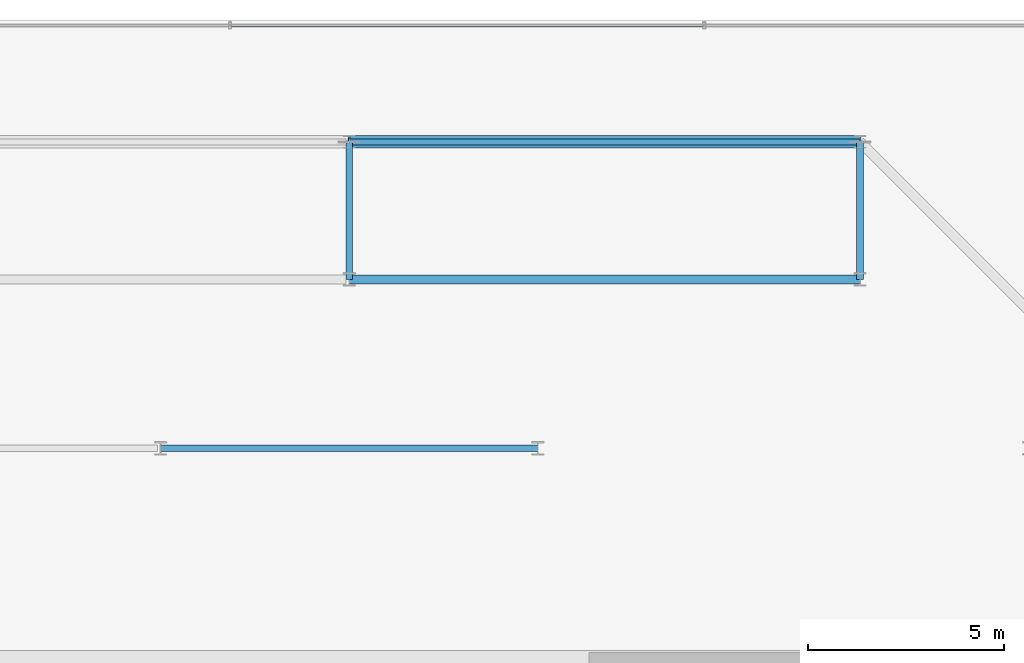
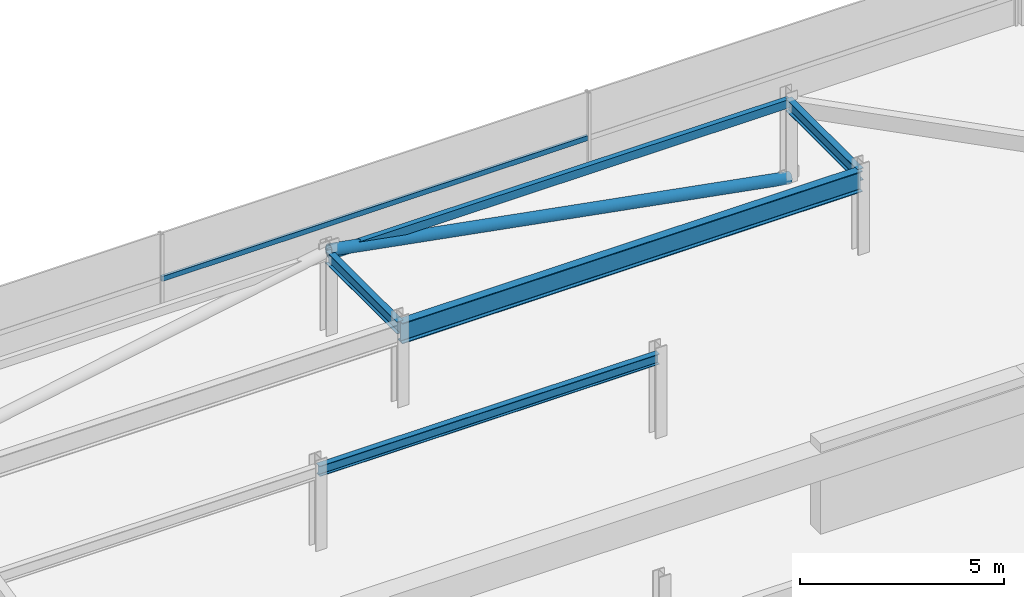
# One storey, part 34 of 42: 5 beams, 2 members, 1 element without a shape of its own.
"""IFC4 building model written with IfcOpenShell, lengths in metres."""

from ifc_helpers import new_model, si_unit, direction, frame, origin, origin_2d, place, context, subcontext, project, spatial, hollow_rectangle, hollow_circle, i_section, extrude, material, material_profile, profile_set, type_object, element, aggregate, save


model = new_model("IFC4")

# Units and contexts
model_context = context("Model", 3, precision=1e-05, world=origin(), true_north=direction((0.0, 1.0)))
body_context = subcontext(model_context, "Body", "Model", "MODEL_VIEW")
ifc_project = project(units=[si_unit("LENGTHUNIT", "METRE"), si_unit("AREAUNIT", "SQUARE_METRE"), si_unit("VOLUMEUNIT", "CUBIC_METRE"), si_unit("PLANEANGLEUNIT", "RADIAN"), si_unit("MASSUNIT", "GRAM", prefix="KILO")], contexts=[model_context])

# Site, building, storey
site_placement = place(None, origin())
site = spatial("IfcSite", under=ifc_project, at=site_placement, CompositionType="ELEMENT")
building_placement = place(site_placement, origin())
building = spatial("IfcBuilding", under=site, at=building_placement, Name="Thornwick Lancets Civic Towers", CompositionType="ELEMENT")
storey_placement = place(building_placement, frame((0.0, 0.0, 284.10009765625)))
storey = spatial("IfcBuildingStorey", under=building, at=storey_placement, Name="C02", CompositionType="ELEMENT", Elevation=284.10009765625)

# Beams
ifc_material_1 = material(Name="Steel S355JR", Category="steel")
ifc_material_profile_1 = material_profile(ifc_material_1, hollow_rectangle(XDim=0.14990234375, YDim=0.25, WallThickness=0.012451171875, at=origin_2d()), Name="RHS 250x150x12.5")
ifc_profile_set_1 = profile_set([ifc_material_profile_1], Name="Steel S355JR")
beam_type_1 = type_object("IfcBeamType", Name="BM_CROWN_RHS250", PredefinedType="BEAM", material=ifc_profile_set_1)
beam_1_placement = place(storey_placement, frame((101.5, 47.800048828125, 2.31494140625), z_axis=(-1.0, 0.0, 0.0), x_axis=(0.0, -1.0, 0.0)))
element("IfcBeam", 1, at=beam_1_placement, inside=storey, type_object=beam_type_1, Name="BM-EDGE-C02-B-S1-1", PredefinedType="BEAM", context=body_context, shape_type="SweptSolid", body=[
    extrude(hollow_rectangle(XDim=0.14990234375, YDim=0.25, WallThickness=0.012451171875, at=origin_2d()), origin(), (0.0, 0.0, 1.0), 13.0),
])
ifc_material_profile_2 = material_profile(ifc_material_1, i_section(OverallWidth=0.230224609375, OverallDepth=0.6171875, WebThickness=0.01318359375, FlangeThickness=0.022216796875, FilletRadius=0.0126953125, at=origin_2d()), Name="UKB 610x229x140")
ifc_profile_set_2 = profile_set([ifc_material_profile_2], Name="Steel S355JR")
beam_type_2 = type_object("IfcBeamType", Name="BM_GIRD_610_140", PredefinedType="BEAM", material=ifc_profile_set_2)
beam_2_placement = place(storey_placement, frame((101.5, 44.300048828125, 2.13134765625), z_axis=(-1.0, 0.0, 0.0), x_axis=(0.0, -1.0, 0.0)))
element("IfcBeam", 2, at=beam_2_placement, inside=storey, type_object=beam_type_2, Name="BM-SPINE-C02-B-3-4", PredefinedType="BEAM", context=body_context, shape_type="SweptSolid", body=[
    extrude(i_section(OverallWidth=0.230224609375, OverallDepth=0.6171875, WebThickness=0.01318359375, FlangeThickness=0.022216796875, FilletRadius=0.0126953125, at=origin_2d()), origin(), (0.0, 0.0, 1.0), 13.0),
])
ifc_material_profile_3 = material_profile(ifc_material_1, i_section(OverallWidth=0.173095703125, OverallDepth=0.36328125, WebThickness=0.009033203125, FlangeThickness=0.015625, FilletRadius=0.01025390625, at=origin_2d()), Name="UKB 356x171x67")
ifc_profile_set_3 = profile_set([ifc_material_profile_3], Name="Steel S355JR")
beam_type_3 = type_object("IfcBeamType", Name="BM_JOIST_356_67", PredefinedType="JOIST", material=ifc_profile_set_3)
for number, where, z_axis, x_axis, name in (
    (3, (101.5, 44.300048828125, 2.25830078125), (0.0, 1.0, 0.0), (-1.0, 0.0, 0.0), "BM-RAD-C02-B04"),
    (4, (88.5, 44.300048828125, 2.25830078125), (0.0, 1.0, 0.0), (-1.0, 0.0, 0.0), "BM-RAD-C02-B05"),
):
    element("IfcBeam", number, at=place(storey_placement, frame(where, z_axis=z_axis, x_axis=x_axis)), inside=storey, type_object=beam_type_3, Name=name, PredefinedType="JOIST", context=body_context, shape_type="SweptSolid", body=[
        extrude(i_section(OverallWidth=0.173095703125, OverallDepth=0.36328125, WebThickness=0.009033203125, FlangeThickness=0.015625, FilletRadius=0.01025390625, at=origin_2d()), origin(), (0.0, 0.0, 1.0), 3.5),
    ])
ifc_material_profile_4 = material_profile(ifc_material_1, i_section(OverallWidth=0.1669921875, OverallDepth=0.310302734375, WebThickness=0.0078125, FlangeThickness=0.013671875, FilletRadius=0.0087890625, at=origin_2d()), Name="UKB 305x165x54")
ifc_profile_set_4 = profile_set([ifc_material_profile_4], Name="Steel S355JR")
beam_type_4 = type_object("IfcBeamType", Name="BM_LINTEL_305_54", PredefinedType="LINTEL", material=ifc_profile_set_4)
beam_3_placement = place(storey_placement, frame((93.300048828125, 40.0, 2.28466796875), z_axis=(-1.0, 0.0, 0.0), x_axis=(0.0, -1.0, 0.0)))
element("IfcBeam", 5, at=beam_3_placement, inside=storey, type_object=beam_type_4, Name="BM-INSP-C02-B-1-3", PredefinedType="LINTEL", context=body_context, shape_type="SweptSolid", body=[
    extrude(i_section(OverallWidth=0.1669921875, OverallDepth=0.310302734375, WebThickness=0.0078125, FlangeThickness=0.013671875, FilletRadius=0.0087890625, at=origin_2d()), origin(), (0.0, 0.0, 1.0), 9.60009765625),
])

# Curtain wall, member
ifc_material_2 = material(Name="Crown ring acoustic-louvre and glazing screen wall", Category="glass")
curtain_wall_type = type_object("IfcCurtainWallType", Name="CW_SYS_07", PredefinedType="NOTDEFINED", material=ifc_material_2)
curtain_wall_placement = place(storey_placement, origin())
curtain_wall = element("IfcCurtainWall", 6, at=curtain_wall_placement, inside=storey, type_object=curtain_wall_type, Name="C02 Curtain Wall CW-C02-B-E4", PredefinedType="NOTDEFINED")
ifc_material_3 = material(Name="Thermally broken bronze aluminium S355", Category="steel")
ifc_material_profile_5 = material_profile(ifc_material_3, hollow_rectangle(XDim=0.074951171875, YDim=0.14990234375, WallThickness=0.0048828125, at=origin_2d()), Name="RHS 150x75x5")
ifc_profile_set_5 = profile_set([ifc_material_profile_5], Name="Thermally broken bronze aluminium S355")
member_type_1 = type_object("IfcMemberType", Name="CW_TRN_150", PredefinedType="USERDEFINED", material=ifc_profile_set_5)
member_1_placement = place(storey_placement, frame((97.513916015625, 50.7646484375, 0.849853515625), z_axis=(-1.0, 0.0, 0.0), x_axis=(0.0, -1.0, 0.0)))
member_1 = element("IfcMember", 7, at=member_1_placement, type_object=member_type_1, Name="CW-C02-B-E4 Transom 1", ObjectType="TRANSOM", PredefinedType="USERDEFINED", context=body_context, shape_type="SweptSolid", body=[
    extrude(hollow_rectangle(XDim=0.074951171875, YDim=0.14990234375, WallThickness=0.0048828125, at=origin_2d()), origin(), (0.0, 0.0, 1.0), 12.02783203125),
])
aggregate(curtain_wall, [member_1])

# Member
ifc_material_profile_6 = material_profile(ifc_material_1, hollow_circle(Radius=0.161865234375, WallThickness=0.01611328125, at=origin_2d()), Name="CHS 323.9x16")
ifc_profile_set_6 = profile_set([ifc_material_profile_6], Name="Steel S355JR")
member_type_2 = type_object("IfcMemberType", Name="MEM_CROWN_CHS324", PredefinedType="BRACE", material=ifc_profile_set_6)
member_2_placement = place(storey_placement, frame((101.5, 47.800048828125, 0.0498046875), z_axis=(-0.983515136313, 0.0, 0.180825818519), x_axis=(0.0, -1.0, 0.0)))
element("IfcMember", 8, at=member_2_placement, inside=storey, type_object=member_type_2, Name="C02 Crown Ring Lancet Rib B-S1-L", PredefinedType="BRACE", context=body_context, shape_type="SweptSolid", body=[
    extrude(hollow_circle(Radius=0.161865234375, WallThickness=0.01611328125, at=origin_2d()), origin(), (0.0, 0.0, 1.0), 13.2177734375),
])

save(model, "model.ifc")
